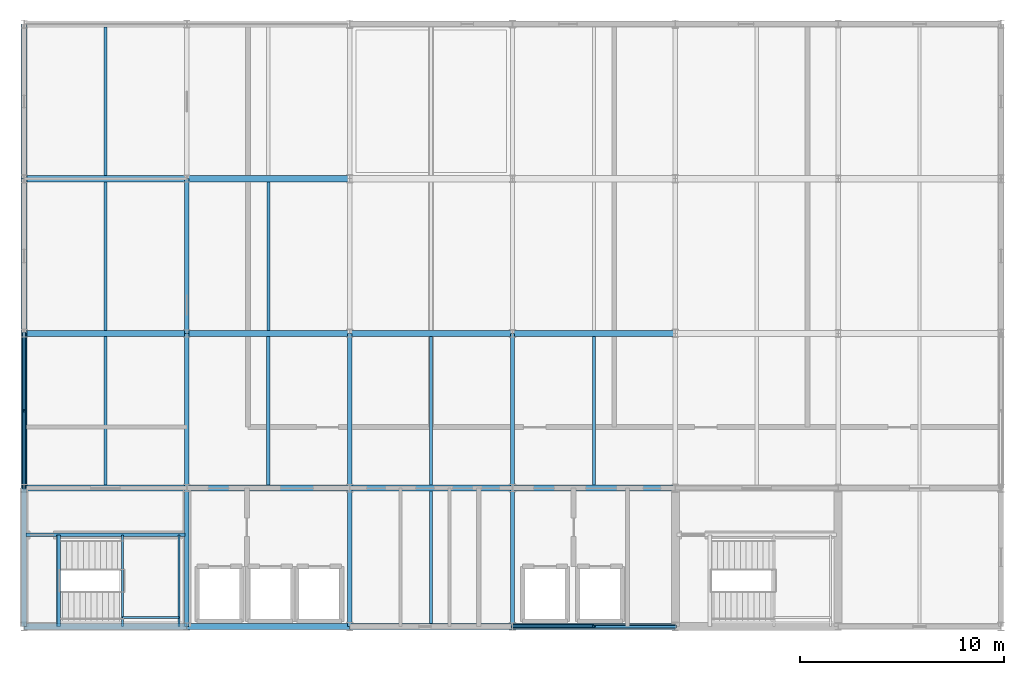
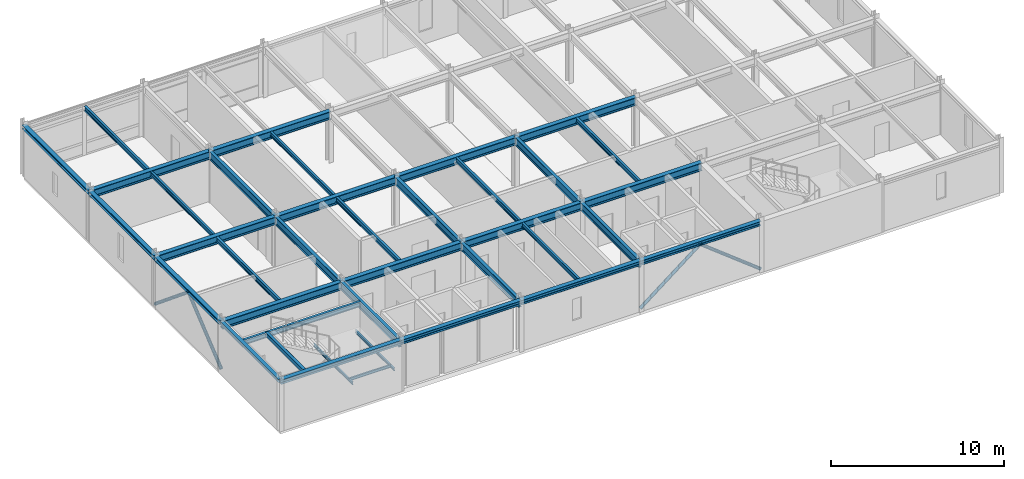
# One storey, part 3 of 9: 38 beams, 4 members.
"""IFC4 building model written with IfcOpenShell, lengths in metres."""

from ifc_helpers import new_model, si_unit, direction, frame, origin, origin_2d, place, context, subcontext, project, spatial, hollow_rectangle, hollow_circle, i_section, extrude, material, material_profile, profile_set, type_object, element, save


model = new_model("IFC4")

# Units and contexts
model_context = context("Model", 3, precision=1e-05, world=origin(), true_north=direction((0.0, 1.0)))
body_context = subcontext(model_context, "Body", "Model", "MODEL_VIEW")
ifc_project = project(units=[si_unit("LENGTHUNIT", "METRE"), si_unit("AREAUNIT", "SQUARE_METRE"), si_unit("VOLUMEUNIT", "CUBIC_METRE"), si_unit("PLANEANGLEUNIT", "RADIAN"), si_unit("MASSUNIT", "GRAM", prefix="KILO")], contexts=[model_context])

# Site, building, storey
site_placement = place(None, origin())
site = spatial("IfcSite", under=ifc_project, at=site_placement, CompositionType="ELEMENT")
building_placement = place(site_placement, origin())
building = spatial("IfcBuilding", under=site, at=building_placement, Name="Shalkamar Park Central Library", CompositionType="ELEMENT")
storey_placement = place(building_placement, frame((0.0, 0.0, 60.0)))
storey = spatial("IfcBuildingStorey", under=building, at=storey_placement, Name="L15", CompositionType="ELEMENT", Elevation=60.0)

# Beams
ifc_material = material(Name="Steel S355", Category="steel")
ifc_material_profile_1 = material_profile(ifc_material, i_section(OverallWidth=0.10009765625, OverallDepth=0.199951171875, WebThickness=0.005615234375, FlangeThickness=0.008544921875, FilletRadius=0.011962890625, at=origin_2d()), Name="IPE 200")
ifc_profile_set_1 = profile_set([ifc_material_profile_1], Name="Steel S355")
beam_type_1 = type_object("IfcBeamType", Name="Composite Floor Joist IPE200", PredefinedType="JOIST", material=ifc_profile_set_1)
for number, where, z_axis, x_axis, name in (
    (1, (169.840087890625, 248.39990234375, 1.570068359375), (0.0, 1.0, 0.0), (-1.0, 0.0, 0.0), "Stair Half-Landing Beam ST-T1-L15-1"),
    (2, (172.6201171875, 248.39990234375, 1.570068359375), (0.0, 1.0, 0.0), (-1.0, 0.0, 0.0), "Stair Half-Landing Beam ST-T1-L15-2"),
):
    element("IfcBeam", number, at=place(storey_placement, frame(where, z_axis=z_axis, x_axis=x_axis)), inside=storey, type_object=beam_type_1, Name=name, PredefinedType="JOIST", context=body_context, shape_type="SweptSolid", body=[
        extrude(i_section(OverallWidth=0.10009765625, OverallDepth=0.199951171875, WebThickness=0.005615234375, FlangeThickness=0.008544921875, FilletRadius=0.011962890625, at=origin_2d()), origin(), (0.0, 0.0, 1.0), 4.5),
    ])
beam_1_placement = place(storey_placement, frame((169.840087890625, 248.85009765625, 1.570068359375), z_axis=(1.0, 0.0, 0.0), x_axis=(0.0, 1.0, 0.0)))
element("IfcBeam", 3, at=beam_1_placement, inside=storey, type_object=beam_type_1, Name="Stair Half-Landing Cross Tie ST-T1-L15-3", PredefinedType="JOIST", context=body_context, shape_type="SweptSolid", body=[
    extrude(i_section(OverallWidth=0.10009765625, OverallDepth=0.199951171875, WebThickness=0.005615234375, FlangeThickness=0.008544921875, FilletRadius=0.011962890625, at=origin_2d()), origin(), (0.0, 0.0, 1.0), 2.780029296875),
])
ifc_material_profile_2 = material_profile(ifc_material, i_section(OverallWidth=0.14990234375, OverallDepth=0.300048828125, WebThickness=0.007080078125, FlangeThickness=0.0107421875, FilletRadius=0.014892578125, at=origin_2d()), Name="IPE 300")
ifc_profile_set_2 = profile_set([ifc_material_profile_2], Name="Steel S355")
beam_type_2 = type_object("IfcBeamType", Name="Composite Floor Joist IPE300", PredefinedType="JOIST", material=ifc_profile_set_2)
for number, where, z_axis, x_axis, name in (
    (4, (169.0, 262.947998046875, 3.429931640625), (0.0, 1.0, 0.0), (-1.0, 0.0, 0.0), "Composite Joist 07/D-1 (L15)"),
    (5, (177.0, 262.947998046875, 3.429931640625), (0.0, 1.0, 0.0), (-1.0, 0.0, 0.0), "Composite Joist 08/D-1 (L15)"),
):
    element("IfcBeam", number, at=place(storey_placement, frame(where, z_axis=z_axis, x_axis=x_axis)), inside=storey, type_object=beam_type_2, Name=name, PredefinedType="JOIST", context=body_context, shape_type="SweptSolid", body=[
        extrude(i_section(OverallWidth=0.14990234375, OverallDepth=0.300048828125, WebThickness=0.007080078125, FlangeThickness=0.0107421875, FilletRadius=0.014892578125, at=origin_2d()), origin(), (0.0, 0.0, 1.0), 7.303955078125),
    ])
beam_2_placement = place(storey_placement, frame((185.0, 248.548095703125, 3.429931640625), z_axis=(0.0, 1.0, 0.0), x_axis=(-1.0, 0.0, 0.0)))
element("IfcBeam", 6, at=beam_2_placement, inside=storey, type_object=beam_type_2, Name="Composite Joist 09/B-1 (L15)", PredefinedType="JOIST", context=body_context, shape_type="SweptSolid", body=[
    extrude(i_section(OverallWidth=0.14990234375, OverallDepth=0.300048828125, WebThickness=0.007080078125, FlangeThickness=0.0107421875, FilletRadius=0.014892578125, at=origin_2d()), origin(), (0.0, 0.0, 1.0), 6.50390625),
])
ifc_material_profile_3 = material_profile(ifc_material, i_section(OverallWidth=0.159912109375, OverallDepth=0.330078125, WebThickness=0.007568359375, FlangeThickness=0.011474609375, FilletRadius=0.01806640625, at=origin_2d()), Name="IPE 330")
ifc_profile_set_3 = profile_set([ifc_material_profile_3], Name="Steel S355")
beam_type_3 = type_object("IfcBeamType", Name="Composite Floor Joist IPE330", PredefinedType="JOIST", material=ifc_profile_set_3)
beam_3_placement = place(storey_placement, frame((169.0, 255.347900390625, 3.4150390625), z_axis=(0.0, 1.0, 0.0), x_axis=(-1.0, 0.0, 0.0)))
element("IfcBeam", 7, at=beam_3_placement, inside=storey, type_object=beam_type_3, Name="Composite Joist 07/C-1 (L15)", PredefinedType="JOIST", context=body_context, shape_type="SweptSolid", body=[
    extrude(i_section(OverallWidth=0.159912109375, OverallDepth=0.330078125, WebThickness=0.007568359375, FlangeThickness=0.011474609375, FilletRadius=0.01806640625, at=origin_2d()), origin(), (0.0, 0.0, 1.0), 7.30419921875),
])
beam_4_placement = place(storey_placement, frame((169.0, 270.548095703125, 3.4150390625), z_axis=(0.0, 1.0, 0.0), x_axis=(-1.0, 0.0, 0.0)))
element("IfcBeam", 8, at=beam_4_placement, inside=storey, type_object=beam_type_3, Name="Composite Joist 07/E-1 (L15)", PredefinedType="JOIST", context=body_context, shape_type="SweptSolid", body=[
    extrude(i_section(OverallWidth=0.159912109375, OverallDepth=0.330078125, WebThickness=0.007568359375, FlangeThickness=0.011474609375, FilletRadius=0.01806640625, at=origin_2d()), origin(), (0.0, 0.0, 1.0), 7.303955078125),
])
for number, where, z_axis, x_axis, name in (
    (9, (177.0, 255.347900390625, 3.4150390625), (0.0, 1.0, 0.0), (-1.0, 0.0, 0.0), "Composite Joist 08/C-1 (L15)"),
    (10, (185.0, 255.347900390625, 3.4150390625), (0.0, 1.0, 0.0), (-1.0, 0.0, 0.0), "Composite Joist 09/C-1 (L15)"),
    (11, (193.0, 255.347900390625, 3.4150390625), (0.0, 1.0, 0.0), (-1.0, 0.0, 0.0), "Composite Joist 10/C-1 (L15)"),
):
    element("IfcBeam", number, at=place(storey_placement, frame(where, z_axis=z_axis, x_axis=x_axis)), inside=storey, type_object=beam_type_3, Name=name, PredefinedType="JOIST", context=body_context, shape_type="SweptSolid", body=[
        extrude(i_section(OverallWidth=0.159912109375, OverallDepth=0.330078125, WebThickness=0.007568359375, FlangeThickness=0.011474609375, FilletRadius=0.01806640625, at=origin_2d()), origin(), (0.0, 0.0, 1.0), 7.30419921875),
    ])

# Members
ifc_material_profile_4 = material_profile(ifc_material, hollow_circle(Radius=0.109619140625, WallThickness=0.010009765625, at=origin_2d()), Name="CHS 219.1x10")
ifc_profile_set_4 = profile_set([ifc_material_profile_4], Name="Steel S355")
member_type = type_object("IfcMemberType", Name="Diagonal Brace CHS219", PredefinedType="BRACE", material=ifc_profile_set_4)
for number, where, z_axis, x_axis, name in (
    (12, (165.0, 255.199951171875, 0.14990234375), (0.0, 0.77186295296, 0.63578894442), (-1.0, 0.0, 0.0), "Chevron Brace TW-W Leg A (L15)"),
    (13, (165.0, 262.800048828125, 0.14990234375), (0.0, -0.77186295296, 0.63578894442), (1.0, 0.0, 0.0), "Chevron Brace TW-W Leg B (L15)"),
):
    element("IfcMember", number, at=place(storey_placement, frame(where, z_axis=z_axis, x_axis=x_axis)), inside=storey, type_object=member_type, Name=name, PredefinedType="BRACE", context=body_context, shape_type="SweptSolid", body=[
        extrude(hollow_circle(Radius=0.109619140625, WallThickness=0.010009765625, at=origin_2d()), origin(), (0.0, 0.0, 1.0), 4.923095703125),
    ])
for number, where, z_axis, x_axis, name in (
    (14, (189.0, 248.39990234375, 0.14990234375), (0.787534415261, 0.0, 0.616270674931), (0.0, 1.0, 0.0), "Chevron Brace TW-S Leg A (L15)"),
    (15, (197.0, 248.39990234375, 0.14990234375), (-0.787534415261, 0.0, 0.616270674931), (0.0, -1.0, 0.0), "Chevron Brace TW-S Leg B (L15)"),
):
    element("IfcMember", number, at=place(storey_placement, frame(where, z_axis=z_axis, x_axis=x_axis)), inside=storey, type_object=member_type, Name=name, PredefinedType="BRACE", context=body_context, shape_type="SweptSolid", body=[
        extrude(hollow_circle(Radius=0.109619140625, WallThickness=0.010009765625, at=origin_2d()), origin(), (0.0, 0.0, 1.0), 5.0791015625),
    ])

# Beams
ifc_material_profile_5 = material_profile(ifc_material, i_section(OverallWidth=0.239990234375, OverallDepth=0.22998046875, WebThickness=0.007568359375, FlangeThickness=0.011962890625, FilletRadius=0.02099609375, at=origin_2d()), Name="HEA 240")
ifc_profile_set_5 = profile_set([ifc_material_profile_5], Name="Steel S355")
beam_type_4 = type_object("IfcBeamType", Name="Perimeter Spandrel Beam HEA240", PredefinedType="SPANDREL", material=ifc_profile_set_5)
beam_5_placement = place(storey_placement, frame((165.0, 248.39990234375, 3.465087890625), z_axis=(0.0, 1.0, 0.0), x_axis=(-1.0, 0.0, 0.0)))
element("IfcBeam", 16, at=beam_5_placement, inside=storey, type_object=beam_type_4, Name="Beam 07:B-C (L15)", PredefinedType="SPANDREL", context=body_context, shape_type="SweptSolid", body=[
    extrude(i_section(OverallWidth=0.239990234375, OverallDepth=0.22998046875, WebThickness=0.007568359375, FlangeThickness=0.011962890625, FilletRadius=0.02099609375, at=origin_2d()), origin(), (0.0, 0.0, 1.0), 6.800048828125),
])
ifc_material_profile_6 = material_profile(ifc_material, i_section(OverallWidth=0.280029296875, OverallDepth=0.27001953125, WebThickness=0.008056640625, FlangeThickness=0.012939453125, FilletRadius=0.02392578125, at=origin_2d()), Name="HEA 280")
ifc_profile_set_6 = profile_set([ifc_material_profile_6], Name="Steel S355")
beam_type_5 = type_object("IfcBeamType", Name="Perimeter Spandrel Beam HEA280", PredefinedType="SPANDREL", material=ifc_profile_set_6)
beam_6_placement = place(storey_placement, frame((165.0, 255.199951171875, 3.445068359375), z_axis=(0.0, 1.0, 0.0), x_axis=(-1.0, 0.0, 0.0)))
element("IfcBeam", 17, at=beam_6_placement, inside=storey, type_object=beam_type_5, Name="Beam 07:C-D (L15)", PredefinedType="SPANDREL", context=body_context, shape_type="SweptSolid", body=[
    extrude(i_section(OverallWidth=0.280029296875, OverallDepth=0.27001953125, WebThickness=0.008056640625, FlangeThickness=0.012939453125, FilletRadius=0.02392578125, at=origin_2d()), origin(), (0.0, 0.0, 1.0), 7.60009765625),
])
beam_7_placement = place(storey_placement, frame((165.0, 262.800048828125, 3.445068359375), z_axis=(0.0, 1.0, 0.0), x_axis=(-1.0, 0.0, 0.0)))
element("IfcBeam", 18, at=beam_7_placement, inside=storey, type_object=beam_type_5, Name="Beam 07:D-E (L15)", PredefinedType="SPANDREL", context=body_context, shape_type="SweptSolid", body=[
    extrude(i_section(OverallWidth=0.280029296875, OverallDepth=0.27001953125, WebThickness=0.008056640625, FlangeThickness=0.012939453125, FilletRadius=0.02392578125, at=origin_2d()), origin(), (0.0, 0.0, 1.0), 7.599853515625),
])
beam_8_placement = place(storey_placement, frame((165.0, 270.39990234375, 3.445068359375), z_axis=(0.0, 1.0, 0.0), x_axis=(-1.0, 0.0, 0.0)))
element("IfcBeam", 19, at=beam_8_placement, inside=storey, type_object=beam_type_5, Name="Beam 07:E-F (L15)", PredefinedType="SPANDREL", context=body_context, shape_type="SweptSolid", body=[
    extrude(i_section(OverallWidth=0.280029296875, OverallDepth=0.27001953125, WebThickness=0.008056640625, FlangeThickness=0.012939453125, FilletRadius=0.02392578125, at=origin_2d()), origin(), (0.0, 0.0, 1.0), 7.60009765625),
])
ifc_material_profile_7 = material_profile(ifc_material, i_section(OverallWidth=0.300048828125, OverallDepth=0.31005859375, WebThickness=0.009033203125, FlangeThickness=0.015380859375, FilletRadius=0.027099609375, at=origin_2d()), Name="HEA 320")
ifc_profile_set_7 = profile_set([ifc_material_profile_7], Name="Steel S355")
beam_type_6 = type_object("IfcBeamType", Name="Perimeter Spandrel Beam HEA320", PredefinedType="SPANDREL", material=ifc_profile_set_7)
for number, where, z_axis, x_axis, name in (
    (20, (165.0, 248.39990234375, 3.425048828125), (1.0, 0.0, 0.0), (0.0, 1.0, 0.0), "Beam B:07-08 (L15)"),
    (21, (173.0, 248.39990234375, 3.425048828125), (1.0, 0.0, 0.0), (0.0, 1.0, 0.0), "Beam B:08-09 (L15)"),
    (22, (181.0, 248.39990234375, 3.425048828125), (1.0, 0.0, 0.0), (0.0, 1.0, 0.0), "Beam B:09-10 (L15)"),
    (23, (189.0, 248.39990234375, 3.425048828125), (1.0, 0.0, 0.0), (0.0, 1.0, 0.0), "Beam B:10-11 (L15)"),
):
    element("IfcBeam", number, at=place(storey_placement, frame(where, z_axis=z_axis, x_axis=x_axis)), inside=storey, type_object=beam_type_6, Name=name, PredefinedType="SPANDREL", context=body_context, shape_type="SweptSolid", body=[
        extrude(i_section(OverallWidth=0.300048828125, OverallDepth=0.31005859375, WebThickness=0.009033203125, FlangeThickness=0.015380859375, FilletRadius=0.027099609375, at=origin_2d()), origin(), (0.0, 0.0, 1.0), 8.0),
    ])
ifc_material_profile_8 = material_profile(ifc_material, i_section(OverallWidth=0.300048828125, OverallDepth=0.550048828125, WebThickness=0.014892578125, FlangeThickness=0.029052734375, FilletRadius=0.027099609375, at=origin_2d()), Name="HEB 550")
ifc_profile_set_8 = profile_set([ifc_material_profile_8], Name="Steel S355")
beam_type_7 = type_object("IfcBeamType", Name="Primary Girder HEB550", PredefinedType="BEAM", material=ifc_profile_set_8)
for number, where, z_axis, x_axis, name in (
    (24, (165.0, 255.199951171875, 3.304931640625), (1.0, 0.0, 0.0), (0.0, 1.0, 0.0), "Beam C:07-08 (L15)"),
    (25, (173.0, 255.199951171875, 3.304931640625), (1.0, 0.0, 0.0), (0.0, 1.0, 0.0), "Beam C:08-09 (L15)"),
    (26, (181.0, 255.199951171875, 3.304931640625), (1.0, 0.0, 0.0), (0.0, 1.0, 0.0), "Beam C:09-10 (L15)"),
    (27, (189.0, 255.199951171875, 3.304931640625), (1.0, 0.0, 0.0), (0.0, 1.0, 0.0), "Beam C:10-11 (L15)"),
    (28, (165.0, 262.800048828125, 3.304931640625), (1.0, 0.0, 0.0), (0.0, 1.0, 0.0), "Beam D:07-08 (L15)"),
    (29, (173.0, 262.800048828125, 3.304931640625), (1.0, 0.0, 0.0), (0.0, 1.0, 0.0), "Beam D:08-09 (L15)"),
    (30, (181.0, 262.800048828125, 3.304931640625), (1.0, 0.0, 0.0), (0.0, 1.0, 0.0), "Beam D:09-10 (L15)"),
    (31, (189.0, 262.800048828125, 3.304931640625), (1.0, 0.0, 0.0), (0.0, 1.0, 0.0), "Beam D:10-11 (L15)"),
    (32, (165.0, 270.39990234375, 3.304931640625), (1.0, 0.0, 0.0), (0.0, 1.0, 0.0), "Beam E:07-08 (L15)"),
    (33, (173.0, 270.39990234375, 3.304931640625), (1.0, 0.0, 0.0), (0.0, 1.0, 0.0), "Beam E:08-09 (L15)"),
):
    element("IfcBeam", number, at=place(storey_placement, frame(where, z_axis=z_axis, x_axis=x_axis)), inside=storey, type_object=beam_type_7, Name=name, PredefinedType="BEAM", context=body_context, shape_type="SweptSolid", body=[
        extrude(i_section(OverallWidth=0.300048828125, OverallDepth=0.550048828125, WebThickness=0.014892578125, FlangeThickness=0.029052734375, FilletRadius=0.027099609375, at=origin_2d()), origin(), (0.0, 0.0, 1.0), 8.0),
    ])
ifc_material_profile_9 = material_profile(ifc_material, i_section(OverallWidth=0.169921875, OverallDepth=0.360107421875, WebThickness=0.008056640625, FlangeThickness=0.0126953125, FilletRadius=0.01806640625, at=origin_2d()), Name="IPE 360")
ifc_profile_set_9 = profile_set([ifc_material_profile_9], Name="Steel S355")
beam_type_8 = type_object("IfcBeamType", Name="Primary Girder IPE360", PredefinedType="BEAM", material=ifc_profile_set_9)
beam_9_placement = place(storey_placement, frame((165.087890625, 252.89990234375, 3.39990234375), z_axis=(1.0, 0.0, 0.0), x_axis=(0.0, 1.0, 0.0)))
element("IfcBeam", 34, at=beam_9_placement, inside=storey, type_object=beam_type_8, Name="CORE-T1 Stairwell Divider Beam (L15)", PredefinedType="BEAM", context=body_context, shape_type="SweptSolid", body=[
    extrude(i_section(OverallWidth=0.169921875, OverallDepth=0.360107421875, WebThickness=0.008056640625, FlangeThickness=0.0126953125, FilletRadius=0.01806640625, at=origin_2d()), origin(), (0.0, 0.0, 1.0), 7.82421875),
])
ifc_material_profile_10 = material_profile(ifc_material, i_section(OverallWidth=0.2099609375, OverallDepth=0.550048828125, WebThickness=0.010986328125, FlangeThickness=0.01708984375, FilletRadius=0.02392578125, at=origin_2d()), Name="IPE 550")
ifc_profile_set_10 = profile_set([ifc_material_profile_10], Name="Steel S355")
beam_type_9 = type_object("IfcBeamType", Name="Primary Girder IPE550", PredefinedType="BEAM", material=ifc_profile_set_10)
beam_10_placement = place(storey_placement, frame((173.0, 248.39990234375, 3.304931640625), z_axis=(0.0, 1.0, 0.0), x_axis=(-1.0, 0.0, 0.0)))
element("IfcBeam", 35, at=beam_10_placement, inside=storey, type_object=beam_type_9, Name="Beam 08:B-C (L15)", PredefinedType="BEAM", context=body_context, shape_type="SweptSolid", body=[
    extrude(i_section(OverallWidth=0.2099609375, OverallDepth=0.550048828125, WebThickness=0.010986328125, FlangeThickness=0.01708984375, FilletRadius=0.02392578125, at=origin_2d()), origin(), (0.0, 0.0, 1.0), 6.800048828125),
])
beam_11_placement = place(storey_placement, frame((173.0, 255.199951171875, 3.304931640625), z_axis=(0.0, 1.0, 0.0), x_axis=(-1.0, 0.0, 0.0)))
element("IfcBeam", 36, at=beam_11_placement, inside=storey, type_object=beam_type_9, Name="Beam 08:C-D (L15)", PredefinedType="BEAM", context=body_context, shape_type="SweptSolid", body=[
    extrude(i_section(OverallWidth=0.2099609375, OverallDepth=0.550048828125, WebThickness=0.010986328125, FlangeThickness=0.01708984375, FilletRadius=0.02392578125, at=origin_2d()), origin(), (0.0, 0.0, 1.0), 7.60009765625),
])
beam_12_placement = place(storey_placement, frame((173.0, 262.800048828125, 3.304931640625), z_axis=(0.0, 1.0, 0.0), x_axis=(-1.0, 0.0, 0.0)))
element("IfcBeam", 37, at=beam_12_placement, inside=storey, type_object=beam_type_9, Name="Beam 08:D-E (L15)", PredefinedType="BEAM", context=body_context, shape_type="SweptSolid", body=[
    extrude(i_section(OverallWidth=0.2099609375, OverallDepth=0.550048828125, WebThickness=0.010986328125, FlangeThickness=0.01708984375, FilletRadius=0.02392578125, at=origin_2d()), origin(), (0.0, 0.0, 1.0), 7.599853515625),
])
beam_13_placement = place(storey_placement, frame((181.0, 248.39990234375, 3.304931640625), z_axis=(0.0, 1.0, 0.0), x_axis=(-1.0, 0.0, 0.0)))
element("IfcBeam", 38, at=beam_13_placement, inside=storey, type_object=beam_type_9, Name="Beam 09:B-C (L15)", PredefinedType="BEAM", context=body_context, shape_type="SweptSolid", body=[
    extrude(i_section(OverallWidth=0.2099609375, OverallDepth=0.550048828125, WebThickness=0.010986328125, FlangeThickness=0.01708984375, FilletRadius=0.02392578125, at=origin_2d()), origin(), (0.0, 0.0, 1.0), 6.800048828125),
])
beam_14_placement = place(storey_placement, frame((181.0, 255.199951171875, 3.304931640625), z_axis=(0.0, 1.0, 0.0), x_axis=(-1.0, 0.0, 0.0)))
element("IfcBeam", 39, at=beam_14_placement, inside=storey, type_object=beam_type_9, Name="Beam 09:C-D (L15)", PredefinedType="BEAM", context=body_context, shape_type="SweptSolid", body=[
    extrude(i_section(OverallWidth=0.2099609375, OverallDepth=0.550048828125, WebThickness=0.010986328125, FlangeThickness=0.01708984375, FilletRadius=0.02392578125, at=origin_2d()), origin(), (0.0, 0.0, 1.0), 7.60009765625),
])
beam_15_placement = place(storey_placement, frame((189.0, 248.39990234375, 3.304931640625), z_axis=(0.0, 1.0, 0.0), x_axis=(-1.0, 0.0, 0.0)))
element("IfcBeam", 40, at=beam_15_placement, inside=storey, type_object=beam_type_9, Name="Beam 10:B-C (L15)", PredefinedType="BEAM", context=body_context, shape_type="SweptSolid", body=[
    extrude(i_section(OverallWidth=0.2099609375, OverallDepth=0.550048828125, WebThickness=0.010986328125, FlangeThickness=0.01708984375, FilletRadius=0.02392578125, at=origin_2d()), origin(), (0.0, 0.0, 1.0), 6.800048828125),
])
beam_16_placement = place(storey_placement, frame((189.0, 255.199951171875, 3.304931640625), z_axis=(0.0, 1.0, 0.0), x_axis=(-1.0, 0.0, 0.0)))
element("IfcBeam", 41, at=beam_16_placement, inside=storey, type_object=beam_type_9, Name="Beam 10:C-D (L15)", PredefinedType="BEAM", context=body_context, shape_type="SweptSolid", body=[
    extrude(i_section(OverallWidth=0.2099609375, OverallDepth=0.550048828125, WebThickness=0.010986328125, FlangeThickness=0.01708984375, FilletRadius=0.02392578125, at=origin_2d()), origin(), (0.0, 0.0, 1.0), 7.60009765625),
])
ifc_material_profile_11 = material_profile(ifc_material, hollow_rectangle(XDim=0.199951171875, YDim=0.300048828125, WallThickness=0.011962890625, InnerFilletRadius=0.011962890625, OuterFilletRadius=0.01806640625, at=origin_2d()), Name="RHS 300x200x12")
ifc_profile_set_11 = profile_set([ifc_material_profile_11], Name="Steel S355")
beam_type_10 = type_object("IfcBeamType", Name="Stair Trimmer Box RHS300x200", PredefinedType="BEAM", material=ifc_profile_set_11)
beam_17_placement = place(storey_placement, frame((166.699951171875, 248.39990234375, 3.429931640625), z_axis=(0.0, 1.0, 0.0), x_axis=(-1.0, 0.0, 0.0)))
element("IfcBeam", 42, at=beam_17_placement, inside=storey, type_object=beam_type_10, Name="Stair Arrival Trimmer Girder ST-T1-L15", PredefinedType="BEAM", context=body_context, shape_type="SweptSolid", body=[
    extrude(hollow_rectangle(XDim=0.199951171875, YDim=0.300048828125, WallThickness=0.011962890625, InnerFilletRadius=0.011962890625, OuterFilletRadius=0.01806640625, at=origin_2d()), origin(), (0.0, 0.0, 1.0), 4.5),
])

save(model, "model.ifc")
